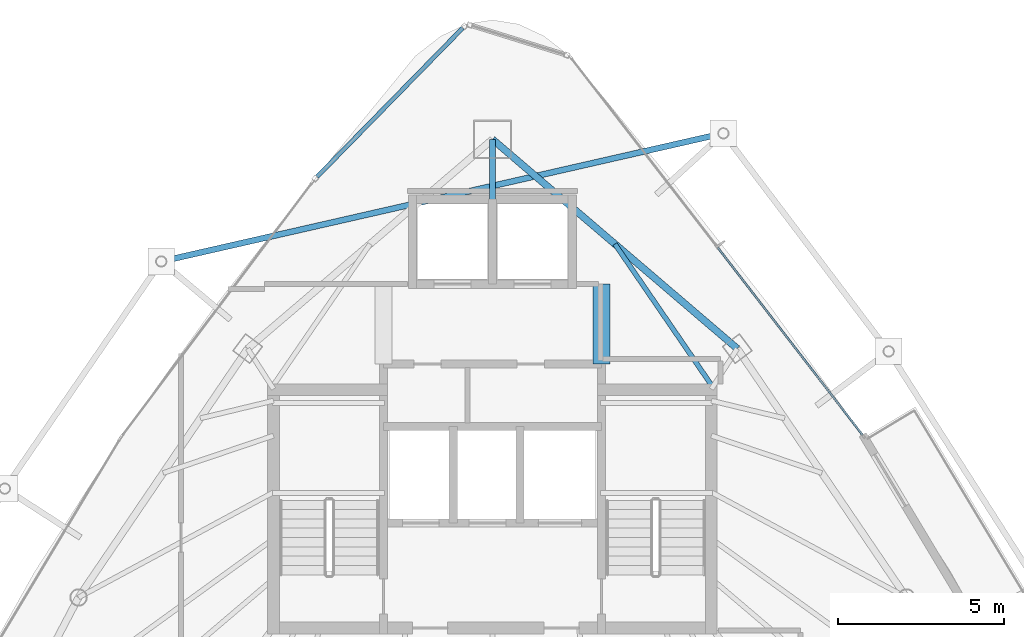
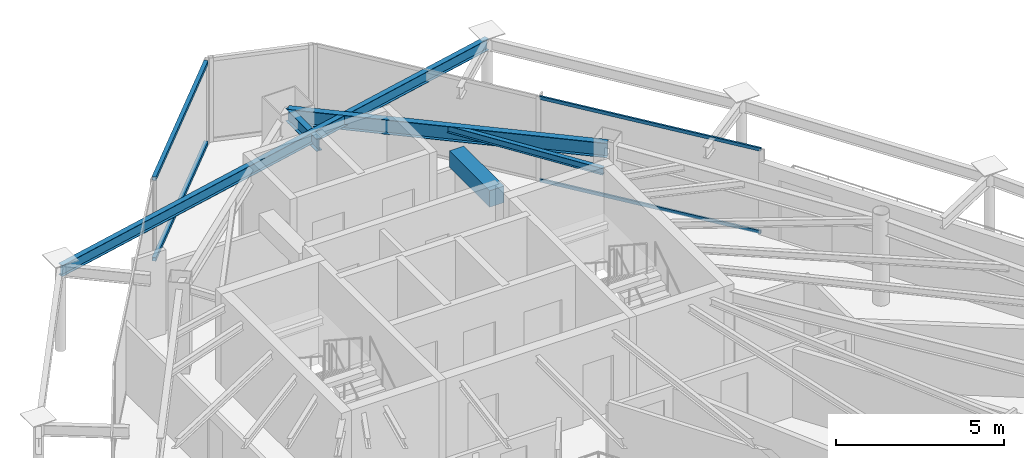
# One storey, part 21 of 29: 5 beams, 4 members, 2 elements without a shape of their own.
"""IFC4 building model written with IfcOpenShell, lengths in metres."""

import ifcopenshell
import ifcopenshell.guid

model = None  # the IFC model being written
_history = None  # IfcOwnerHistory: only IFC2X3 demands one
_inside = {}  # id of a spatial element -> (the spatial element, [elements in it])
_under = {}  # id of a project, library or spatial element -> (it, [spatial elements below it])
_declared = {}  # id of a project -> (the project, [libraries it declares])
_typed = {}  # id of a type object -> (the type object, [elements of that type])
_made_of = {}  # id of a material, layer set ... -> (it, [elements and type objects made of it])


def new_model(schema):
    """Start an empty IFC model of exactly this schema.

    Asked for "IFC4X3", IfcOpenShell would pick the latest addendum, in which some entities
    have other attributes; the version numbers below select the first issue.
    IFC2X3 requires an IfcOwnerHistory on every rooted entity: one is made here for all.
    """
    global model, _history
    if schema == "IFC4X3":
        model = ifcopenshell.file(schema_version=(4, 3, 0, 0))
    else:
        model = ifcopenshell.file(schema=schema)
    _inside.clear()
    _under.clear()
    _declared.clear()
    _typed.clear()
    _made_of.clear()
    _history = None
    if model.schema == "IFC2X3":
        org = make("IfcOrganization", Name="unknown")
        user = make(
            "IfcPersonAndOrganization",
            ThePerson=make("IfcPerson", FamilyName="unknown"),
            TheOrganization=org,
        )
        app = make(
            "IfcApplication",
            ApplicationDeveloper=org,
            Version="unknown",
            ApplicationFullName="unknown",
            ApplicationIdentifier="unknown",
        )
        _history = make(
            "IfcOwnerHistory",
            OwningUser=user,
            OwningApplication=app,
            ChangeAction="ADDED",
            CreationDate=0,
        )
    return model


def make(cls, **values):
    """One entity of the class cls with the attributes given. An attribute that is None is left unset."""
    return model.create_entity(
        cls, **{name: value for name, value in values.items() if value is not None}
    )


def rooted(cls, **values):
    """An entity with a GlobalId (a new one), such as an element, a storey or a relation."""
    return make(cls, GlobalId=ifcopenshell.guid.new(), OwnerHistory=_history, **values)


def si_unit(unit_type, name, prefix=None):
    """IfcSIUnit, for example si_unit("LENGTHUNIT", "METRE", prefix="MILLI")."""
    return make("IfcSIUnit", UnitType=unit_type, Prefix=prefix, Name=name)


def assignment(units):
    """IfcUnitAssignment: the units of a project."""
    return None if units is None else make("IfcUnitAssignment", Units=units)


def point(xyz):
    """IfcCartesianPoint."""
    return None if xyz is None else make("IfcCartesianPoint", Coordinates=xyz)


def direction(xyz):
    """IfcDirection."""
    return None if xyz is None else make("IfcDirection", DirectionRatios=xyz)


def frame(location, z_axis=None, x_axis=None):
    """IfcAxis2Placement3D, a coordinate frame: its origin and axes. An axis left out is left unset."""
    return make(
        "IfcAxis2Placement3D",
        Location=point(location),
        Axis=direction(z_axis),
        RefDirection=direction(x_axis),
    )


def frame_2d(location, x_axis=None):
    """IfcAxis2Placement2D, a coordinate frame in the plane: its origin and x axis."""
    return make(
        "IfcAxis2Placement2D", Location=point(location), RefDirection=direction(x_axis)
    )


def origin():
    """The frame at (0, 0, 0) with its axes left unset."""
    return frame((0.0, 0.0, 0.0))


def origin_2d():
    """The frame at (0, 0) in the plane with its x axis left unset."""
    return frame_2d((0.0, 0.0))


def place(relative_to, where):
    """IfcLocalPlacement: puts the frame where relative to a parent placement (None: the world)."""
    return make(
        "IfcLocalPlacement", PlacementRelTo=relative_to, RelativePlacement=where
    )


def context(
    kind, dimensions, precision=None, world=None, true_north=None, identifier=None
):
    """IfcGeometricRepresentationContext, for example the 3D "Model" context."""
    return make(
        "IfcGeometricRepresentationContext",
        ContextIdentifier=identifier,
        ContextType=kind,
        CoordinateSpaceDimension=dimensions,
        Precision=precision,
        WorldCoordinateSystem=world,
        TrueNorth=true_north,
    )


def subcontext(parent, identifier, kind, view, scale=None):
    """IfcGeometricRepresentationSubContext, for example "Body" below "Model"."""
    return make(
        "IfcGeometricRepresentationSubContext",
        ContextIdentifier=identifier,
        ContextType=kind,
        ParentContext=parent,
        TargetScale=scale,
        TargetView=view,
    )


def project(units=None, contexts=None):
    """IfcProject with its units and contexts."""
    return rooted(
        "IfcProject",
        Name="project",
        RepresentationContexts=contexts,
        UnitsInContext=assignment(units),
    )


def spatial(cls, under=None, at=None, **own):
    """A site, building, storey or space (cls), placed at a placement, below another one or the project."""
    s = rooted(cls, ObjectPlacement=at, **own)
    if under is not None:
        _under.setdefault(under.id(), (under, []))[1].append(s)
    return s


def profile(cls, at=None, kind="AREA", **sizes):
    """A parametric profile (cls). Its sizes go by their IFC names, for example OverallWidth=200.0."""
    return make(cls, ProfileType=kind, Position=at, **sizes)


def rectangle(**sizes):
    """IfcRectangleProfileDef."""
    return profile("IfcRectangleProfileDef", **sizes)


def hollow_rectangle(**sizes):
    """IfcRectangleHollowProfileDef."""
    return profile("IfcRectangleHollowProfileDef", **sizes)


def i_section(**sizes):
    """IfcIShapeProfileDef."""
    return profile("IfcIShapeProfileDef", **sizes)


def extrude(swept, where, along, depth):
    """IfcExtrudedAreaSolid: the profile swept, set in the frame where, extruded along a direction by depth."""
    return make(
        "IfcExtrudedAreaSolid",
        SweptArea=swept,
        Position=where,
        ExtrudedDirection=direction(along),
        Depth=depth,
    )


def shape(context_of_items, identifier, shape_type, items):
    """IfcShapeRepresentation: the items that make up one representation, for example the "Body"."""
    return make(
        "IfcShapeRepresentation",
        ContextOfItems=context_of_items,
        RepresentationIdentifier=identifier,
        RepresentationType=shape_type,
        Items=items,
    )


def material(Name=None, Category=None):
    """IfcMaterial."""
    return make("IfcMaterial", Name=Name, Category=Category)


def layer(
    of_material, thickness, ventilated=None, Name=None, Category=None, Priority=None
):
    """IfcMaterialLayer: one layer of a wall or slab, of a material (None: an air gap)."""
    return make(
        "IfcMaterialLayer",
        Material=of_material,
        LayerThickness=thickness,
        IsVentilated=ventilated,
        Name=Name,
        Category=Category,
        Priority=Priority,
    )


def layer_set(layers, Name=None):
    """IfcMaterialLayerSet."""
    return make("IfcMaterialLayerSet", MaterialLayers=layers, LayerSetName=Name)


def material_profile(
    of_material, cross_section, Name=None, Category=None, Priority=None
):
    """IfcMaterialProfile: a cross section and its material."""
    return make(
        "IfcMaterialProfile",
        Name=Name,
        Material=of_material,
        Profile=cross_section,
        Priority=Priority,
        Category=Category,
    )


def profile_set(profiles, Name=None, composite=None):
    """IfcMaterialProfileSet."""
    return make(
        "IfcMaterialProfileSet",
        Name=Name,
        MaterialProfiles=profiles,
        CompositeProfile=composite,
    )


def made_of(thing, what):
    """Note that an element or type object is made of a material, layer set ...; save() writes the relation."""
    if what is not None:
        _made_of.setdefault(what.id(), (what, []))[1].append(thing)
    return thing


def type_object(cls, material=None, **own):
    """A type object (cls), such as IfcWallType, which elements share."""
    return made_of(rooted(cls, **own), material)


def element(
    cls,
    number,
    at=None,
    inside=None,
    cuts=None,
    type_object=None,
    material=None,
    context=None,
    identifier="Body",
    shape_type=None,
    held_by="IfcProductDefinitionShape",
    body=None,
    shapes=None,
    **own,
):
    """One element of the class cls, such as IfcWall. Its Tag is "e" and its number.

    at: its placement. inside: the storey or other place that contains it. cuts: it is an
    opening in that element (IfcRelVoidsElement). A single representation is given by context,
    identifier, shape_type and body (its items); several are given by shapes. held_by: the class
    of the entity that holds the representations. save() writes the other relations.
    """
    e = rooted(cls, Tag="e%d" % number, ObjectPlacement=at, **own)
    if body is not None:
        shapes = [shape(context, identifier, shape_type, body)]
    if shapes is not None:
        e.Representation = make(held_by, Representations=shapes)
    if inside is not None:
        _inside.setdefault(inside.id(), (inside, []))[1].append(e)
    if cuts is not None:
        rooted(
            "IfcRelVoidsElement", RelatingBuildingElement=cuts, RelatedOpeningElement=e
        )
    if type_object is not None:
        _typed.setdefault(type_object.id(), (type_object, []))[1].append(e)
    return made_of(e, material)


def aggregate(whole, parts):
    """IfcRelAggregates: a whole, such as a stair, and the parts it consists of."""
    return rooted("IfcRelAggregates", RelatingObject=whole, RelatedObjects=parts)


def save(model, path):
    """Write the relations noted so far, then the file.

    IfcRelAggregates (storeys below a building ...), IfcRelContainedInSpatialStructure (elements
    in a storey), IfcRelDefinesByType, IfcRelAssociatesMaterial and IfcRelDeclares: one each for
    every whole, place, type object, material and project.
    """
    for whole, parts in _under.values():
        aggregate(whole, parts)
    for where, things in _inside.values():
        rooted(
            "IfcRelContainedInSpatialStructure",
            RelatedElements=things,
            RelatingStructure=where,
        )
    for kind, things in _typed.values():
        rooted("IfcRelDefinesByType", RelatedObjects=things, RelatingType=kind)
    for what, things in _made_of.values():
        rooted("IfcRelAssociatesMaterial", RelatedObjects=things, RelatingMaterial=what)
    for by, libraries in _declared.values():
        rooted("IfcRelDeclares", RelatingContext=by, RelatedDefinitions=libraries)
    model.write(path)


model = new_model("IFC4")

# Units and contexts
model_context = context("Model", 3, precision=1e-05, world=origin(), true_north=direction((0.0, 1.0)))
body_context = subcontext(model_context, "Body", "Model", "MODEL_VIEW")
ifc_project = project(units=[si_unit("LENGTHUNIT", "METRE"), si_unit("AREAUNIT", "SQUARE_METRE"), si_unit("VOLUMEUNIT", "CUBIC_METRE"), si_unit("PLANEANGLEUNIT", "RADIAN"), si_unit("MASSUNIT", "GRAM", prefix="KILO")], contexts=[model_context])

# Site, building, storey
site_placement = place(None, origin())
site = spatial("IfcSite", under=ifc_project, at=site_placement, CompositionType="ELEMENT")
building_placement = place(site_placement, origin())
building = spatial("IfcBuilding", under=site, at=building_placement, Name="Orvanel Arch Residences", CompositionType="ELEMENT")
storey_placement = place(building_placement, frame((0.0, 0.0, 256.85009765625)))
storey = spatial("IfcBuildingStorey", under=building, at=storey_placement, Name="L73", CompositionType="ELEMENT", Elevation=256.85009765625)

# Beams
ifc_material_1 = material(Name="Structural steel AS/NZS 3679.1 Grade 300 (300 MPa)", Category="steel")
ifc_material_profile_1 = material_profile(ifc_material_1, i_section(OverallWidth=0.19091796875, OverallDepth=0.4599609375, WebThickness=0.010009765625, FlangeThickness=0.01611328125, at=origin_2d()), Name="460UB82.1")
ifc_profile_set_1 = profile_set([ifc_material_profile_1], Name="Structural steel AS/NZS 3679.1 Grade 300 (300 MPa)")
beam_type_1 = type_object("IfcBeamType", Name="BG-460UB", PredefinedType="BEAM", material=ifc_profile_set_1)
beam_1_placement = place(storey_placement, frame((33.0, 39.550048828125, 2.829833984375), z_axis=(0.0, 1.0, 0.0), x_axis=(-1.0, 0.0, 0.0)))
element("IfcBeam", 1, at=beam_1_placement, inside=storey, type_object=beam_type_1, Name="L73 North Radial Girder", PredefinedType="BEAM", context=body_context, shape_type="SweptSolid", body=[
    extrude(i_section(OverallWidth=0.19091796875, OverallDepth=0.4599609375, WebThickness=0.010009765625, FlangeThickness=0.01611328125, at=origin_2d()), origin(), (0.0, 0.0, 1.0), 1.847900390625),
])
ifc_material_profile_2 = material_profile(ifc_material_1, i_section(OverallWidth=0.14599609375, OverallDepth=0.251953125, WebThickness=0.006103515625, FlangeThickness=0.008544921875, at=origin_2d()), Name="250UB31.4")
ifc_profile_set_2 = profile_set([ifc_material_profile_2], Name="Structural steel AS/NZS 3679.1 Grade 300 (300 MPa)")
beam_type_2 = type_object("IfcBeamType", Name="BJ-250UB", PredefinedType="JOIST", material=ifc_profile_set_2)
beam_2_placement = place(storey_placement, frame((39.574951171875, 34.02001953125, 2.933837890625), z_axis=(-0.564868085352, 0.825181220188, 0.0), x_axis=(-0.825181220188, -0.564868085352, 0.0)))
element("IfcBeam", 2, at=beam_2_placement, inside=storey, type_object=beam_type_2, Name="L73 NNE2 Wing Floor Joist", PredefinedType="JOIST", context=body_context, shape_type="SweptSolid", body=[
    extrude(i_section(OverallWidth=0.14599609375, OverallDepth=0.251953125, WebThickness=0.006103515625, FlangeThickness=0.008544921875, at=origin_2d()), origin(), (0.0, 0.0, 1.0), 5.132080078125),
])
ifc_material_2 = material(Name="Concrete S65 (65 MPa)", Category="concrete")
ifc_material_profile_3 = material_profile(ifc_material_2, rectangle(XDim=0.5, YDim=0.60009765625, at=origin_2d()), Name="RC500x600")
ifc_profile_set_3 = profile_set([ifc_material_profile_3], Name="Concrete S65 (65 MPa)")
beam_type_3 = type_object("IfcBeamType", Name="CB-500x600", PredefinedType="LINTEL", material=ifc_profile_set_3)
beam_3_placement = place(storey_placement, frame((36.27490234375, 34.64990234375, 2.760009765625), z_axis=(0.0, 1.0, 0.0), x_axis=(-1.0, 0.0, 0.0)))
element("IfcBeam", 3, at=beam_3_placement, inside=storey, type_object=beam_type_3, Name="L73 East Core Lobby Coupling Lintel Beam", PredefinedType="LINTEL", context=body_context, shape_type="SweptSolid", body=[
    extrude(rectangle(XDim=0.5, YDim=0.60009765625, at=origin_2d()), origin(), (0.0, 0.0, 1.0), 2.400146484375),
])
ifc_material_profile_4 = material_profile(ifc_material_1, i_section(OverallWidth=0.177978515625, OverallDepth=0.406005859375, WebThickness=0.0078125, FlangeThickness=0.0126953125, at=origin_2d()), Name="410UB59.7")
ifc_profile_set_4 = profile_set([ifc_material_profile_4], Name="Structural steel AS/NZS 3679.1 Grade 300 (300 MPa)")
beam_type_4 = type_object("IfcBeamType", Name="OB-410UB-EXT", PredefinedType="SPANDREL", material=ifc_profile_set_4)
beam_4_placement = place(storey_placement, frame((39.93408203125, 41.5791015625, 2.85693359375), z_axis=(-0.975003740449, -0.222188447295, 0.0), x_axis=(0.222188447295, -0.975003740449, 0.0)))
element("IfcBeam", 4, at=beam_4_placement, inside=storey, type_object=beam_type_4, Name="L73 Outer Perimeter Floor Ring Beam 12", PredefinedType="SPANDREL", context=body_context, shape_type="SweptSolid", body=[
    extrude(i_section(OverallWidth=0.177978515625, OverallDepth=0.406005859375, WebThickness=0.0078125, FlangeThickness=0.0126953125, at=origin_2d()), origin(), (0.0, 0.0, 1.0), 17.31494140625),
])
ifc_material_profile_5 = material_profile(ifc_material_1, i_section(OverallWidth=0.208984375, OverallDepth=0.532958984375, WebThickness=0.01025390625, FlangeThickness=0.015625, at=origin_2d()), Name="530UB92.4")
ifc_profile_set_5 = profile_set([ifc_material_profile_5], Name="Structural steel AS/NZS 3679.1 Grade 300 (300 MPa)")
beam_type_5 = type_object("IfcBeamType", Name="SP-530UB", PredefinedType="SPANDREL", material=ifc_profile_set_5)
beam_5_placement = place(storey_placement, frame((40.35205078125, 35.113037109375, 2.7939453125), z_axis=(-0.760116518398, 0.649786794617, 0.0), x_axis=(-0.649786794617, -0.760116518398, 0.0)))
element("IfcBeam", 5, at=beam_5_placement, inside=storey, type_object=beam_type_5, Name="L73 Perimeter Spandrel Beam 09", PredefinedType="SPANDREL", context=body_context, shape_type="SweptSolid", body=[
    extrude(i_section(OverallWidth=0.208984375, OverallDepth=0.532958984375, WebThickness=0.01025390625, FlangeThickness=0.015625, at=origin_2d()), origin(), (0.0, 0.0, 1.0), 9.67236328125),
])

# Curtain wall, members
ifc_material_3 = material(Name="Bronze-anodised aluminium AA6063-T6", Category="aluminium")
ifc_layer_1 = layer(ifc_material_3, 0.175048828125)
ifc_layer_set_1 = layer_set([ifc_layer_1], Name="Bronze-anodised aluminium AA6063-T6")
curtain_wall_type_1 = type_object("IfcCurtainWallType", Name="CW4-HI-SYS", PredefinedType="NOTDEFINED", material=ifc_layer_set_1)
curtain_wall_1_placement = place(storey_placement, origin())
curtain_wall_1 = element("IfcCurtainWall", 6, at=curtain_wall_1_placement, inside=storey, type_object=curtain_wall_type_1, Name="L73 CW4-HI-SYS Unitised Curtain Wall", PredefinedType="NOTDEFINED")
ifc_material_profile_6 = material_profile(ifc_material_3, hollow_rectangle(XDim=0.06005859375, YDim=0.1201171875, WallThickness=0.00341796875, at=origin_2d()), Name="ALU120x60x3.5")
ifc_profile_set_6 = profile_set([ifc_material_profile_6], Name="Bronze-anodised aluminium AA6063-T6")
member_type_1 = type_object("IfcMemberType", Name="TRN-120x60", PredefinedType="USERDEFINED", material=ifc_profile_set_6)
member_1_placement = place(storey_placement, frame((44.1162109375, 32.515380859375, 0.02978515625), z_axis=(-0.611375262604, 0.791340816763, 0.0), x_axis=(-0.791340816763, -0.611375262604, 0.0)))
member_1 = element("IfcMember", 7, at=member_1_placement, type_object=member_type_1, Name="CW-S4 transom 1.1", ObjectType="TRANSOM", PredefinedType="USERDEFINED", context=body_context, shape_type="SweptSolid", body=[
    extrude(hollow_rectangle(XDim=0.06005859375, YDim=0.1201171875, WallThickness=0.00341796875, at=origin_2d()), origin(), (0.0, 0.0, 1.0), 7.1181640625),
])
member_2_placement = place(storey_placement, frame((44.1162109375, 32.515380859375, 3.02978515625), z_axis=(-0.611375262604, 0.791340816763, 0.0), x_axis=(-0.791340816763, -0.611375262604, 0.0)))
member_2 = element("IfcMember", 8, at=member_2_placement, type_object=member_type_1, Name="CW-S4 transom 1.2", ObjectType="TRANSOM", PredefinedType="USERDEFINED", context=body_context, shape_type="SweptSolid", body=[
    extrude(hollow_rectangle(XDim=0.06005859375, YDim=0.1201171875, WallThickness=0.00341796875, at=origin_2d()), origin(), (0.0, 0.0, 1.0), 7.1181640625),
])
aggregate(curtain_wall_1, [member_1, member_2])

ifc_layer_2 = layer(ifc_material_3, 0.18994140625)
ifc_layer_set_2 = layer_set([ifc_layer_2], Name="Bronze-anodised aluminium AA6063-T6")
curtain_wall_type_2 = type_object("IfcCurtainWallType", Name="CW5-CRN-SYS", PredefinedType="NOTDEFINED", material=ifc_layer_set_2)
curtain_wall_2_placement = place(storey_placement, origin())
curtain_wall_2 = element("IfcCurtainWall", 9, at=curtain_wall_2_placement, inside=storey, type_object=curtain_wall_type_2, Name="L73 CW5-CRN-SYS Unitised Curtain Wall", PredefinedType="NOTDEFINED")
ifc_material_profile_7 = material_profile(ifc_material_3, hollow_rectangle(XDim=0.1298828125, YDim=0.1298828125, WallThickness=0.00439453125, at=origin_2d()), Name="ALU130x130x4.5")
ifc_profile_set_7 = profile_set([ifc_material_profile_7], Name="Bronze-anodised aluminium AA6063-T6")
member_type_2 = type_object("IfcMemberType", Name="TRN-130x130", PredefinedType="USERDEFINED", material=ifc_profile_set_7)
member_3_placement = place(storey_placement, frame((32.10693359375, 44.741943359375, 0.06494140625), z_axis=(-0.699649707694, -0.714486029621, 0.0), x_axis=(0.714486029621, -0.699649707694, 0.0)))
member_3 = element("IfcMember", 10, at=member_3_placement, type_object=member_type_2, Name="CW-S5 transom 1.1", ObjectType="TRANSOM", PredefinedType="USERDEFINED", context=body_context, shape_type="SweptSolid", body=[
    extrude(hollow_rectangle(XDim=0.1298828125, YDim=0.1298828125, WallThickness=0.00439453125, at=origin_2d()), origin(), (0.0, 0.0, 1.0), 6.253173828125),
])
member_4_placement = place(storey_placement, frame((32.10693359375, 44.741943359375, 2.994873046875), z_axis=(-0.699649707694, -0.714486029621, 0.0), x_axis=(0.714486029621, -0.699649707694, 0.0)))
member_4 = element("IfcMember", 11, at=member_4_placement, type_object=member_type_2, Name="CW-S5 transom 1.2", ObjectType="TRANSOM", PredefinedType="USERDEFINED", context=body_context, shape_type="SweptSolid", body=[
    extrude(hollow_rectangle(XDim=0.1298828125, YDim=0.1298828125, WallThickness=0.00439453125, at=origin_2d()), origin(), (0.0, 0.0, 1.0), 6.253173828125),
])
aggregate(curtain_wall_2, [member_3, member_4])

save(model, "model.ifc")
